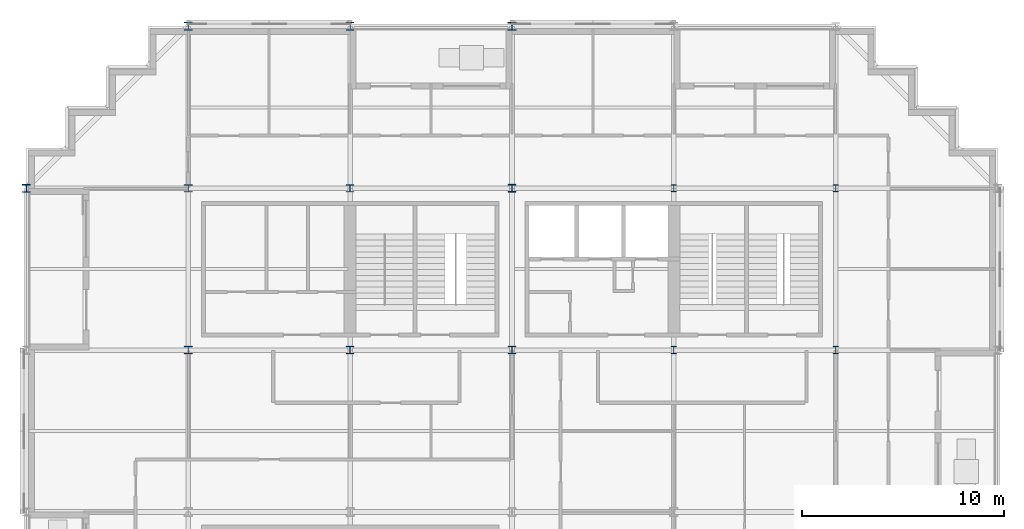
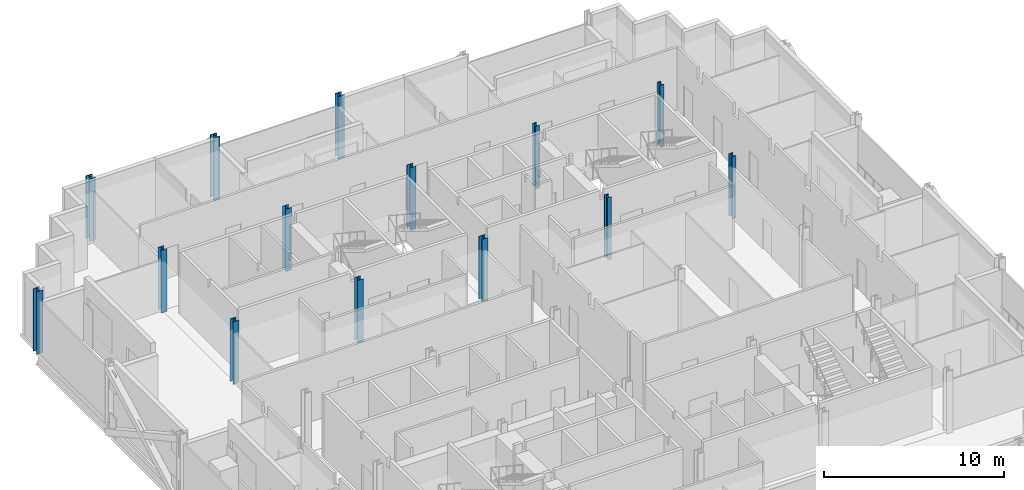
# One storey, part 2 of 15: 14 columns.
"""IFC4 building model written with IfcOpenShell, lengths in metres."""

from ifc_helpers import new_model, si_unit, direction, frame, origin, origin_2d, place, context, subcontext, project, spatial, i_section, extrude, material, material_profile, profile_set, type_object, element, save


model = new_model("IFC4")

# Units and contexts
model_context = context("Model", 3, precision=1e-05, world=origin(), true_north=direction((0.0, 1.0)))
body_context = subcontext(model_context, "Body", "Model", "MODEL_VIEW")
ifc_project = project(units=[si_unit("LENGTHUNIT", "METRE"), si_unit("AREAUNIT", "SQUARE_METRE"), si_unit("VOLUMEUNIT", "CUBIC_METRE"), si_unit("PLANEANGLEUNIT", "RADIAN"), si_unit("MASSUNIT", "GRAM", prefix="KILO")], contexts=[model_context])

# Site, building, storey
site_placement = place(None, origin())
site = spatial("IfcSite", under=ifc_project, at=site_placement, CompositionType="ELEMENT")
building_placement = place(site_placement, origin())
building = spatial("IfcBuilding", under=site, at=building_placement, Name="Immortelle Media Tower", CompositionType="ELEMENT")
storey_placement = place(building_placement, frame((0.0, 0.0, 105.199951171875)))
storey = spatial("IfcBuildingStorey", under=building, at=storey_placement, Name="L20", CompositionType="ELEMENT", Elevation=105.199951171875)

# Columns
ifc_material = material(Name="Steel ASTM A992 Gr 50", Category="steel")
ifc_material_profile_1 = material_profile(ifc_material, i_section(OverallWidth=0.373046875, OverallDepth=0.367919921875, WebThickness=0.014892578125, FlangeThickness=0.02392578125, at=origin_2d()), Name="W14x120")
ifc_profile_set_1 = profile_set([ifc_material_profile_1], Name="Steel ASTM A992 Gr 50")
column_type_1 = type_object("IfcColumnType", Name="W14x120 column", PredefinedType="COLUMN", material=ifc_profile_set_1)
for number, where, z_axis, x_axis, name in (
    (1, (8.0, 32.0, 0.0), (0.0, 0.0, 1.0), (1.0, 0.0, 0.0), "Column 2/E"),
    (2, (8.0, 40.0, 0.0), (0.0, 0.0, 1.0), (1.0, 0.0, 0.0), "Column 2/F"),
    (3, (16.0, 32.0, 0.0), (0.0, 0.0, 1.0), (1.0, 0.0, 0.0), "Column 3/E"),
    (4, (16.0, 40.0, 0.0), (0.0, 0.0, 1.0), (1.0, 0.0, 0.0), "Column 3/F"),
):
    element("IfcColumn", number, at=place(storey_placement, frame(where, z_axis=z_axis, x_axis=x_axis)), inside=storey, type_object=column_type_1, Name=name, PredefinedType="COLUMN", context=body_context, shape_type="SweptSolid", body=[
        extrude(i_section(OverallWidth=0.373046875, OverallDepth=0.367919921875, WebThickness=0.014892578125, FlangeThickness=0.02392578125, at=origin_2d()), origin(), (0.0, 0.0, 1.0), 4.25),
    ])
ifc_material_profile_2 = material_profile(ifc_material, i_section(OverallWidth=0.39404296875, OverallDepth=0.3759765625, WebThickness=0.01708984375, FlangeThickness=0.028076171875, at=origin_2d()), Name="W14x145")
ifc_profile_set_2 = profile_set([ifc_material_profile_2], Name="Steel ASTM A992 Gr 50")
column_type_2 = type_object("IfcColumnType", Name="W14x145 column", PredefinedType="COLUMN", material=ifc_profile_set_2)
for number, where, z_axis, x_axis, name in (
    (5, (24.0, 32.0, 0.0), (0.0, 0.0, 1.0), (1.0, 0.0, 0.0), "Column 4/E"),
    (6, (24.0, 40.0, 0.0), (0.0, 0.0, 1.0), (1.0, 0.0, 0.0), "Column 4/F"),
):
    element("IfcColumn", number, at=place(storey_placement, frame(where, z_axis=z_axis, x_axis=x_axis)), inside=storey, type_object=column_type_2, Name=name, PredefinedType="COLUMN", context=body_context, shape_type="SweptSolid", body=[
        extrude(i_section(OverallWidth=0.39404296875, OverallDepth=0.3759765625, WebThickness=0.01708984375, FlangeThickness=0.028076171875, at=origin_2d()), origin(), (0.0, 0.0, 1.0), 4.25),
    ])
ifc_material_profile_3 = material_profile(ifc_material, i_section(OverallWidth=0.39892578125, OverallDepth=0.385986328125, WebThickness=0.02099609375, FlangeThickness=0.032958984375, at=origin_2d()), Name="W14x176")
ifc_profile_set_3 = profile_set([ifc_material_profile_3], Name="Steel ASTM A992 Gr 50")
column_type_3 = type_object("IfcColumnType", Name="W14x176 column", PredefinedType="COLUMN", material=ifc_profile_set_3)
for number, where, z_axis, x_axis, name in (
    (7, (0.0, 40.0, 0.0), (0.0, 0.0, 1.0), (1.0, 0.0, 0.0), "Column 1/F"),
    (8, (24.0, 48.0, 0.0), (0.0, 0.0, 1.0), (1.0, 0.0, 0.0), "Column 4/G"),
):
    element("IfcColumn", number, at=place(storey_placement, frame(where, z_axis=z_axis, x_axis=x_axis)), inside=storey, type_object=column_type_3, Name=name, PredefinedType="COLUMN", context=body_context, shape_type="SweptSolid", body=[
        extrude(i_section(OverallWidth=0.39892578125, OverallDepth=0.385986328125, WebThickness=0.02099609375, FlangeThickness=0.032958984375, at=origin_2d()), origin(), (0.0, 0.0, 1.0), 4.25),
    ])
ifc_material_profile_4 = material_profile(ifc_material, i_section(OverallWidth=0.406005859375, OverallDepth=0.4169921875, WebThickness=0.030029296875, FlangeThickness=0.048095703125, at=origin_2d()), Name="W14x257")
ifc_profile_set_4 = profile_set([ifc_material_profile_4], Name="Steel ASTM A992 Gr 50")
column_type_4 = type_object("IfcColumnType", Name="W14x257 column", PredefinedType="COLUMN", material=ifc_profile_set_4)
for number, where, z_axis, x_axis, name in (
    (9, (8.0, 48.0, 0.0), (0.0, 0.0, 1.0), (1.0, 0.0, 0.0), "Column 2/G"),
    (10, (16.0, 48.0, 0.0), (0.0, 0.0, 1.0), (1.0, 0.0, 0.0), "Column 3/G"),
):
    element("IfcColumn", number, at=place(storey_placement, frame(where, z_axis=z_axis, x_axis=x_axis)), inside=storey, type_object=column_type_4, Name=name, PredefinedType="COLUMN", context=body_context, shape_type="SweptSolid", body=[
        extrude(i_section(OverallWidth=0.406005859375, OverallDepth=0.4169921875, WebThickness=0.030029296875, FlangeThickness=0.048095703125, at=origin_2d()), origin(), (0.0, 0.0, 1.0), 4.25),
    ])
ifc_material_profile_5 = material_profile(ifc_material, i_section(OverallWidth=0.257080078125, OverallDepth=0.363037109375, WebThickness=0.012939453125, FlangeThickness=0.02197265625, at=origin_2d()), Name="W14x82")
ifc_profile_set_5 = profile_set([ifc_material_profile_5], Name="Steel ASTM A992 Gr 50")
column_type_5 = type_object("IfcColumnType", Name="W14x82 column", PredefinedType="COLUMN", material=ifc_profile_set_5)
for number, where, z_axis, x_axis, name in (
    (11, (32.0, 32.0, 0.0), (0.0, 0.0, 1.0), (1.0, 0.0, 0.0), "Column 5/E"),
    (12, (32.0, 40.0, 0.0), (0.0, 0.0, 1.0), (1.0, 0.0, 0.0), "Column 5/F"),
    (13, (40.0, 32.0, 0.0), (0.0, 0.0, 1.0), (1.0, 0.0, 0.0), "Column 6/E"),
    (14, (40.0, 40.0, 0.0), (0.0, 0.0, 1.0), (1.0, 0.0, 0.0), "Column 6/F"),
):
    element("IfcColumn", number, at=place(storey_placement, frame(where, z_axis=z_axis, x_axis=x_axis)), inside=storey, type_object=column_type_5, Name=name, PredefinedType="COLUMN", context=body_context, shape_type="SweptSolid", body=[
        extrude(i_section(OverallWidth=0.257080078125, OverallDepth=0.363037109375, WebThickness=0.012939453125, FlangeThickness=0.02197265625, at=origin_2d()), origin(), (0.0, 0.0, 1.0), 4.25),
    ])

save(model, "model.ifc")
